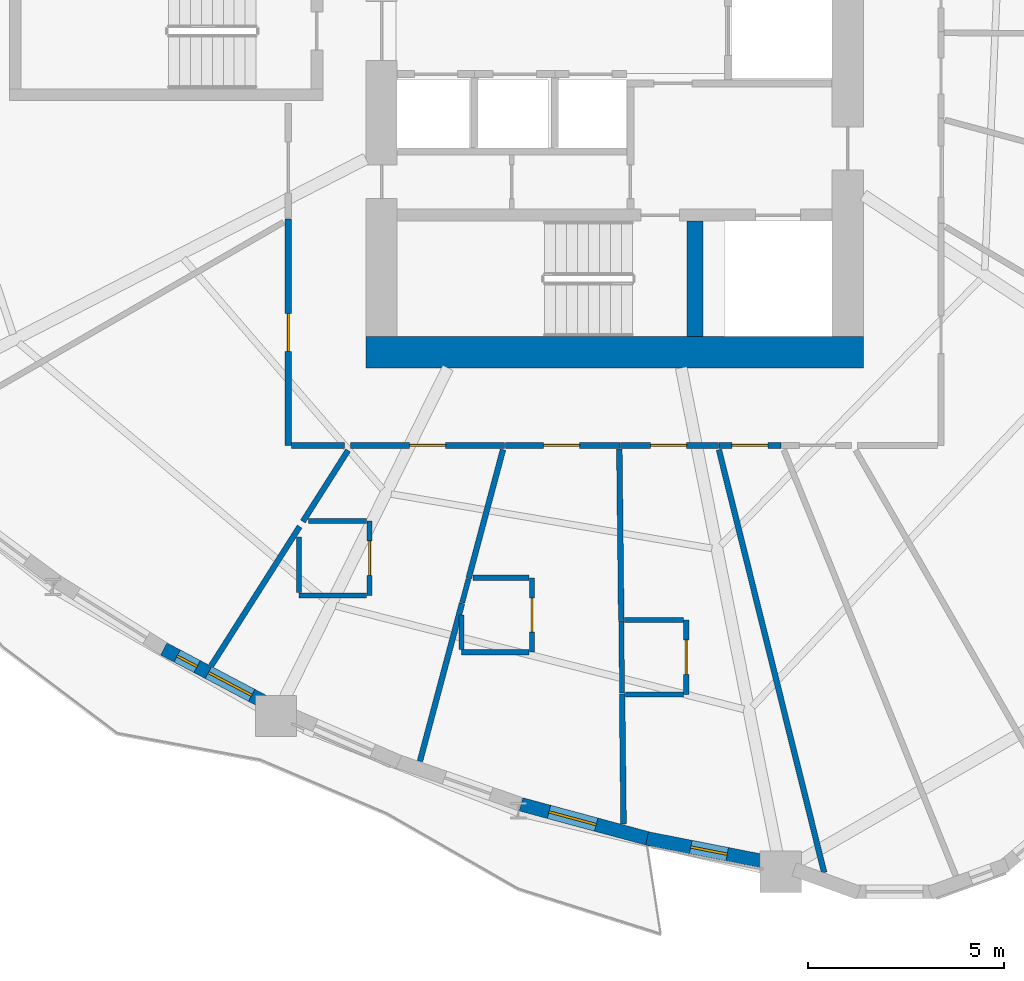
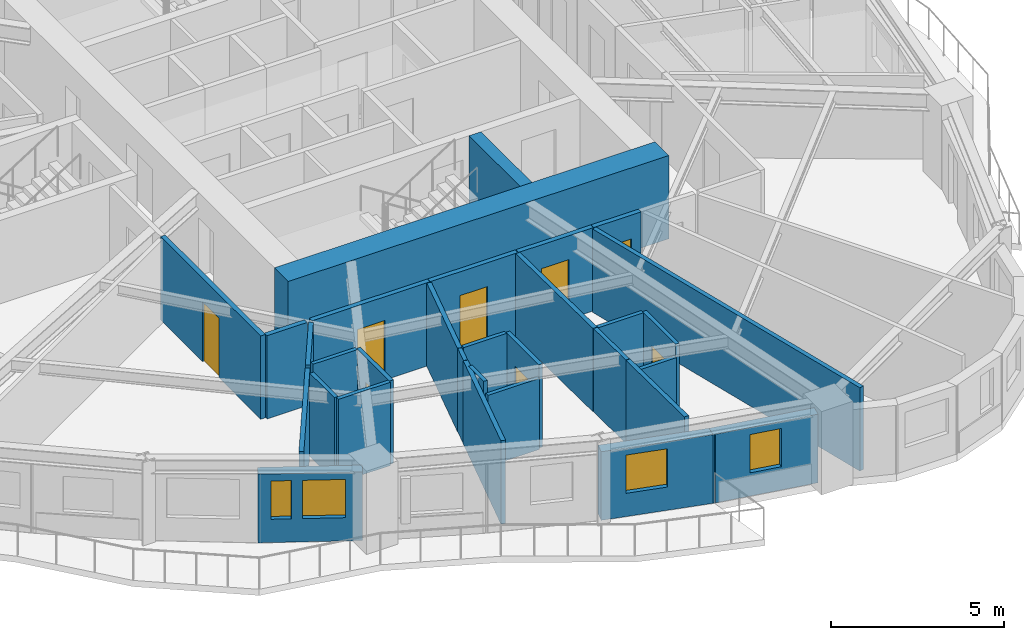
# One storey, part 3 of 13: 31 walls, 8 doors, 4 windows, 12 openings.
"""IFC4 building model written with IfcOpenShell, lengths in metres."""

from ifc_helpers import new_model, si_unit, direction, frame, frame_2d, origin, place, context, subcontext, project, spatial, rectangle, extrude, source, transform, mapped, material, layer, layer_set, type_object, element, fill, save


model = new_model("IFC4")

# Units and contexts
model_context = context("Model", 3, precision=1e-05, world=origin(), true_north=direction((0.0, 1.0)))
body_context = subcontext(model_context, "Body", "Model", "MODEL_VIEW")
ifc_project = project(units=[si_unit("LENGTHUNIT", "METRE"), si_unit("AREAUNIT", "SQUARE_METRE"), si_unit("VOLUMEUNIT", "CUBIC_METRE"), si_unit("PLANEANGLEUNIT", "RADIAN"), si_unit("MASSUNIT", "GRAM", prefix="KILO")], contexts=[model_context])

# Site, building, storey
site_placement = place(None, origin())
site = spatial("IfcSite", under=ifc_project, at=site_placement, CompositionType="ELEMENT")
building_placement = place(site_placement, origin())
building = spatial("IfcBuilding", under=site, at=building_placement, Name="Qafzar Sky-Pleat Residences", CompositionType="ELEMENT")
storey_placement = place(building_placement, frame((0.0, 0.0, 52.60009765625)))
storey = spatial("IfcBuildingStorey", under=building, at=storey_placement, Name="L15", CompositionType="ELEMENT", Elevation=52.60009765625)

# Wall, opening, door
ifc_material_1 = material(Name="Acoustic gypsum plasterboard partition", Category="gypsum")
ifc_layer_1 = layer(ifc_material_1, 0.159912109375)
ifc_layer_set_1 = layer_set([ifc_layer_1], Name="Acoustic gypsum plasterboard partition")
wall_type_1 = type_object("IfcWallType", Name="PART-COR-160", PredefinedType="PARTITIONING", material=ifc_layer_set_1)
wall_1_placement = place(storey_placement, frame((22.02001953125, 15.419921875, 0.0), z_axis=(0.0, 0.0, 1.0), x_axis=(0.0, 1.0, 0.0)))
wall_1 = element("IfcWall", 1, at=wall_1_placement, inside=storey, type_object=wall_type_1, Name="L15 Partition Wall PART-L15-PW-002", PredefinedType="PARTITIONING", context=body_context, shape_type="SweptSolid", body=[
    extrude(rectangle(XDim=5.7861328125, YDim=0.159912109375, at=frame_2d((2.89306640625, 0.0))), origin(), (0.0, 0.0, 1.0), 2.93994140625),
])
opening_1_placement = place(wall_1_placement, frame((2.404541015625, 0.0, 0.0)))
opening_1 = element("IfcOpeningElement", 2, at=opening_1_placement, cuts=wall_1, Name="Opening ID-06", PredefinedType="OPENING", context=body_context, shape_type="SweptSolid", body=[
    extrude(rectangle(XDim=0.9599609375, YDim=2.10009765625, at=frame_2d((0.47998046875, 1.050048828125))), frame((0.0, 0.08984375, 0.0), z_axis=(0.0, -1.0, 0.0), x_axis=(1.0, 0.0, 0.0)), (0.0, 0.0, 1.0), 0.179931640625),
])
ifc_material_2 = material(Name="Timber-faced fire door", Category="wood")
door_type_1 = type_object("IfcDoorType", Name="DR-STD-960", OperationType="NOTDEFINED", PredefinedType="DOOR", material=ifc_material_2)
shared_shape_1 = source(origin(), body_context, "Body", "SweptSolid", [
    extrude(rectangle(XDim=0.9599609375, YDim=2.10009765625, at=frame_2d((0.47998046875, 1.050048828125))), frame((0.0, 0.02490234375, 0.0), z_axis=(0.0, -1.0, 0.0), x_axis=(1.0, 0.0, 0.0)), (0.0, 0.0, 1.0), 0.050048828125),
])
door_1_placement = place(opening_1_placement, origin())
door_1 = element("IfcDoor", 3, at=door_1_placement, inside=storey, type_object=door_type_1, Name="L15 Scholar Co-Working Workspace Door", OperationType="SINGLE_SWING_LEFT", OverallHeight=2.10009765625, OverallWidth=0.9599609375, PredefinedType="DOOR", context=body_context, shape_type="MappedRepresentation", body=[
    mapped(shared_shape_1, transform((0.0, 0.0, 0.0), x_axis=(1.0, 0.0, 0.0), y_axis=(0.0, 1.0, 0.0), z_axis=(0.0, 0.0, 1.0), scale=1.0)),
])
fill(opening_1, door_1)

wall_2_placement = place(storey_placement, frame((27.5439453125, 15.419921875, 0.0), z_axis=(0.0, 0.0, 1.0), x_axis=(-1.0, 0.0, 0.0)))
wall_2 = element("IfcWall", 4, at=wall_2_placement, inside=storey, type_object=wall_type_1, Name="L15 Partition Wall PART-L15-PW-006", PredefinedType="PARTITIONING", context=body_context, shape_type="SweptSolid", body=[
    extrude(rectangle(XDim=3.93603515625, YDim=0.159912109375, at=frame_2d((1.968017578125, 0.0))), origin(), (0.0, 0.0, 1.0), 2.93994140625),
])
opening_2_placement = place(wall_2_placement, frame((1.507080078125, 0.0, 0.0)))
opening_2 = element("IfcOpeningElement", 5, at=opening_2_placement, cuts=wall_2, Name="Opening ID-04", PredefinedType="OPENING", context=body_context, shape_type="SweptSolid", body=[
    extrude(rectangle(XDim=0.919921875, YDim=2.10009765625, at=frame_2d((0.4599609375, 1.050048828125))), frame((0.0, 0.08984375, 0.0), z_axis=(0.0, -1.0, 0.0), x_axis=(1.0, 0.0, 0.0)), (0.0, 0.0, 1.0), 0.179931640625),
])
door_type_2 = type_object("IfcDoorType", Name="DR-BED-920", OperationType="NOTDEFINED", PredefinedType="DOOR", material=ifc_material_2)
shared_shape_2 = source(origin(), body_context, "Body", "SweptSolid", [
    extrude(rectangle(XDim=0.919921875, YDim=2.10009765625, at=frame_2d((0.4599609375, 1.050048828125))), frame((0.0, 0.02490234375, 0.0), z_axis=(0.0, -1.0, 0.0), x_axis=(1.0, 0.0, 0.0)), (0.0, 0.0, 1.0), 0.050048828125),
])
door_2_placement = place(opening_2_placement, origin())
door_2 = element("IfcDoor", 6, at=door_2_placement, inside=storey, type_object=door_type_2, Name="L15 Co-Living Bedroom 10 Door", OperationType="SINGLE_SWING_RIGHT", OverallHeight=2.10009765625, OverallWidth=0.919921875, PredefinedType="DOOR", context=body_context, shape_type="MappedRepresentation", body=[
    mapped(shared_shape_2, transform((0.0, 0.0, 0.0), x_axis=(1.0, 0.0, 0.0), y_axis=(0.0, 1.0, 0.0), z_axis=(0.0, 0.0, 1.0), scale=1.0)),
])
fill(opening_2, door_2)

wall_3_placement = place(storey_placement, frame((30.48388671875, 15.419921875, 0.0), z_axis=(0.0, 0.0, 1.0), x_axis=(-1.0, 0.0, 0.0)))
wall_3 = element("IfcWall", 7, at=wall_3_placement, inside=storey, type_object=wall_type_1, Name="L15 Partition Wall PART-L15-PW-010", PredefinedType="PARTITIONING", context=body_context, shape_type="SweptSolid", body=[
    extrude(rectangle(XDim=2.9248046875, YDim=0.159912109375, at=frame_2d((1.46240234375, 0.0))), origin(), (0.0, 0.0, 1.0), 2.93994140625),
])
opening_3_placement = place(wall_3_placement, frame((1.02490234375, 0.0, 0.0)))
opening_3 = element("IfcOpeningElement", 8, at=opening_3_placement, cuts=wall_3, Name="Opening ID-04", PredefinedType="OPENING", context=body_context, shape_type="SweptSolid", body=[
    extrude(rectangle(XDim=0.919921875, YDim=2.10009765625, at=frame_2d((0.4599609375, 1.050048828125))), frame((0.0, 0.08984375, 0.0), z_axis=(0.0, -1.0, 0.0), x_axis=(1.0, 0.0, 0.0)), (0.0, 0.0, 1.0), 0.179931640625),
])
door_3_placement = place(opening_3_placement, origin())
door_3 = element("IfcDoor", 9, at=door_3_placement, inside=storey, type_object=door_type_2, Name="L15 Co-Living Bedroom 11 Door", OperationType="SINGLE_SWING_LEFT", OverallHeight=2.10009765625, OverallWidth=0.919921875, PredefinedType="DOOR", context=body_context, shape_type="MappedRepresentation", body=[
    mapped(shared_shape_2, transform((0.0, 0.0, 0.0), x_axis=(1.0, 0.0, 0.0), y_axis=(0.0, 1.0, 0.0), z_axis=(0.0, 0.0, 1.0), scale=1.0)),
])
fill(opening_3, door_3)

wall_4_placement = place(storey_placement, frame((33.0, 15.419921875, 0.0), z_axis=(0.0, 0.0, 1.0), x_axis=(-1.0, 0.0, 0.0)))
wall_4 = element("IfcWall", 10, at=wall_4_placement, inside=storey, type_object=wall_type_1, Name="L15 Partition Wall PART-L15-PW-012", PredefinedType="PARTITIONING", context=body_context, shape_type="SweptSolid", body=[
    extrude(rectangle(XDim=2.5009765625, YDim=0.159912109375, at=frame_2d((1.25048828125, 0.0))), origin(), (0.0, 0.0, 1.0), 2.93994140625),
])
opening_4_placement = place(wall_4_placement, frame((0.81298828125, 0.0, 0.0)))
opening_4 = element("IfcOpeningElement", 11, at=opening_4_placement, cuts=wall_4, Name="Opening ID-04", PredefinedType="OPENING", context=body_context, shape_type="SweptSolid", body=[
    extrude(rectangle(XDim=0.919921875, YDim=2.10009765625, at=frame_2d((0.4599609375, 1.050048828125))), frame((0.0, 0.08984375, 0.0), z_axis=(0.0, -1.0, 0.0), x_axis=(1.0, 0.0, 0.0)), (0.0, 0.0, 1.0), 0.179931640625),
])
door_4_placement = place(opening_4_placement, origin())
door_4 = element("IfcDoor", 12, at=door_4_placement, inside=storey, type_object=door_type_2, Name="L15 Co-Living Bedroom 12 Door", OperationType="SINGLE_SWING_RIGHT", OverallHeight=2.10009765625, OverallWidth=0.919921875, PredefinedType="DOOR", context=body_context, shape_type="MappedRepresentation", body=[
    mapped(shared_shape_2, transform((0.0, 0.0, 0.0), x_axis=(1.0, 0.0, 0.0), y_axis=(0.0, 1.0, 0.0), z_axis=(0.0, 0.0, 1.0), scale=1.0)),
])
fill(opening_4, door_4)

wall_5_placement = place(storey_placement, frame((34.591064453125, 15.419921875, 0.0), z_axis=(0.0, 0.0, 1.0), x_axis=(-1.0, 0.0, 0.0)))
wall_5 = element("IfcWall", 13, at=wall_5_placement, inside=storey, type_object=wall_type_1, Name="L15 Partition Wall PART-L15-PW-027", PredefinedType="PARTITIONING", context=body_context, shape_type="SweptSolid", body=[
    extrude(rectangle(XDim=1.576171875, YDim=0.159912109375, at=frame_2d((0.7880859375, 0.0))), origin(), (0.0, 0.0, 1.0), 2.93994140625),
])
opening_5_placement = place(wall_5_placement, frame((0.326904296875, 0.0, 0.0)))
opening_5 = element("IfcOpeningElement", 14, at=opening_5_placement, cuts=wall_5, Name="Opening ID-04", PredefinedType="OPENING", context=body_context, shape_type="SweptSolid", body=[
    extrude(rectangle(XDim=0.919921875, YDim=2.10009765625, at=frame_2d((0.4599609375, 1.050048828125))), frame((0.0, 0.08984375, 0.0), z_axis=(0.0, -1.0, 0.0), x_axis=(1.0, 0.0, 0.0)), (0.0, 0.0, 1.0), 0.179931640625),
])
door_5_placement = place(opening_5_placement, origin())
door_5 = element("IfcDoor", 15, at=door_5_placement, inside=storey, type_object=door_type_2, Name="L15 Co-Living Bedroom 1 Door", OperationType="SINGLE_SWING_LEFT", OverallHeight=2.10009765625, OverallWidth=0.919921875, PredefinedType="DOOR", context=body_context, shape_type="MappedRepresentation", body=[
    mapped(shared_shape_2, transform((0.0, 0.0, 0.0), x_axis=(1.0, 0.0, 0.0), y_axis=(0.0, 1.0, 0.0), z_axis=(0.0, 0.0, 1.0), scale=1.0)),
])
fill(opening_5, door_5)

# Walls
wall_6_placement = place(storey_placement, frame((22.10791015625, 15.419921875, 0.0), z_axis=(0.0, 0.0, 1.0), x_axis=(1.0, 0.0, 0.0)))
element("IfcWall", 16, at=wall_6_placement, inside=storey, type_object=wall_type_1, Name="L15 Partition Wall PART-L15-PW-076", PredefinedType="PARTITIONING", context=body_context, shape_type="SweptSolid", body=[
    extrude(rectangle(XDim=1.34033203125, YDim=0.159912109375, at=frame_2d((0.670166015625, 0.0))), origin(), (0.0, 0.0, 1.0), 2.93994140625),
])
ifc_layer_2 = layer(ifc_material_1, 0.14501953125)
ifc_layer_set_2 = layer_set([ifc_layer_2], Name="Acoustic gypsum plasterboard partition")
wall_type_2 = type_object("IfcWallType", Name="PART-UNIT-145", PredefinedType="PARTITIONING", material=ifc_layer_set_2)
wall_7_placement = place(storey_placement, frame((33.01123046875, 15.314697265625, 0.0), z_axis=(0.0, 0.0, 1.0), x_axis=(0.241616400535, -0.970371843673, 0.0)))
element("IfcWall", 17, at=wall_7_placement, inside=storey, type_object=wall_type_2, Name="L15 Partition Wall PART-L15-PW-035", PredefinedType="PARTITIONING", context=body_context, shape_type="SweptSolid", body=[
    extrude(rectangle(XDim=11.125, YDim=0.14501953125, at=frame_2d((5.5625, 0.0))), origin(), (0.0, 0.0, 1.0), 2.93994140625),
])
wall_8_placement = place(storey_placement, frame((30.469970703125, 15.331298828125, 0.0), z_axis=(0.0, 0.0, 1.0), x_axis=(0.011204559183, -0.999937226957, 0.0)))
element("IfcWall", 18, at=wall_8_placement, inside=storey, type_object=wall_type_2, Name="L15 Partition Wall PART-L15-PW-044", PredefinedType="PARTITIONING", context=body_context, shape_type="SweptSolid", body=[
    extrude(rectangle(XDim=4.379638671875, YDim=0.14501953125, at=frame_2d((2.18994140625, 0.0))), origin(), (0.0, 0.0, 1.0), 2.93994140625),
])
wall_9_placement = place(storey_placement, frame((20.0537109375, 9.800048828125, 0.0), z_axis=(0.0, 0.0, 1.0), x_axis=(0.536345686693, 0.843998403059, 0.0)))
element("IfcWall", 19, at=wall_9_placement, inside=storey, type_object=wall_type_2, Name="L15 Partition Wall PART-L15-PW-045", PredefinedType="PARTITIONING", context=body_context, shape_type="SweptSolid", body=[
    extrude(rectangle(XDim=4.205078125, YDim=0.14501953125, at=frame_2d((2.1025390625, 0.0))), origin(), (0.0, 0.0, 1.0), 2.93994140625),
])
wall_10_placement = place(storey_placement, frame((25.3798828125, 7.359619140625, 0.0), z_axis=(0.0, 0.0, 1.0), x_axis=(0.257575283531, 0.966258233245, 0.0)))
element("IfcWall", 20, at=wall_10_placement, inside=storey, type_object=wall_type_2, Name="L15 Partition Wall PART-L15-PW-046", PredefinedType="PARTITIONING", context=body_context, shape_type="SweptSolid", body=[
    extrude(rectangle(XDim=4.17431640625, YDim=0.14501953125, at=frame_2d((2.087158203125, 0.0))), origin(), (0.0, 0.0, 1.0), 2.93994140625),
])
wall_11_placement = place(storey_placement, frame((26.6240234375, 12.028076171875, 0.0), z_axis=(0.0, 0.0, 1.0), x_axis=(0.257743083598, 0.966213487205, 0.0)))
element("IfcWall", 21, at=wall_11_placement, inside=storey, type_object=wall_type_2, Name="L15 Partition Wall PART-L15-PW-049", PredefinedType="PARTITIONING", context=body_context, shape_type="SweptSolid", body=[
    extrude(rectangle(XDim=3.400634765625, YDim=0.14501953125, at=frame_2d((1.7001953125, 0.0))), origin(), (0.0, 0.0, 1.0), 2.93994140625),
])
wall_12_placement = place(storey_placement, frame((30.5400390625, 9.08203125, 0.0), z_axis=(0.0, 0.0, 1.0), x_axis=(0.011329467055, -0.999935819529, 0.0)))
element("IfcWall", 22, at=wall_12_placement, inside=storey, type_object=wall_type_2, Name="L15 Partition Wall PART-L15-PW-052", PredefinedType="PARTITIONING", context=body_context, shape_type="SweptSolid", body=[
    extrude(rectangle(XDim=3.318603515625, YDim=0.14501953125, at=frame_2d((1.6591796875, 0.0))), origin(), (0.0, 0.0, 1.0), 2.93994140625),
])
wall_13_placement = place(storey_placement, frame((22.39208984375, 13.47900390625, 0.0), z_axis=(0.0, 0.0, 1.0), x_axis=(0.53614810629, 0.844123929362, 0.0)))
element("IfcWall", 23, at=wall_13_placement, inside=storey, type_object=wall_type_2, Name="L15 Partition Wall PART-L15-PW-055", PredefinedType="PARTITIONING", context=body_context, shape_type="SweptSolid", body=[
    extrude(rectangle(XDim=2.150634765625, YDim=0.14501953125, at=frame_2d((1.0751953125, 0.0))), origin(), (0.0, 0.0, 1.0), 2.93994140625),
])

# Wall, opening, door
ifc_material_3 = material(Name="Moisture-resistant gypsum partition", Category="gypsum")
ifc_layer_3 = layer(ifc_material_3, 0.1298828125)
ifc_layer_set_3 = layer_set([ifc_layer_3], Name="Moisture-resistant gypsum partition")
wall_type_3 = type_object("IfcWallType", Name="PART-WET-130", PredefinedType="PARTITIONING", material=ifc_layer_set_3)
wall_14_placement = place(storey_placement, frame((24.093994140625, 11.593994140625, 0.0), z_axis=(0.0, 0.0, 1.0), x_axis=(0.0, 1.0, 0.0)))
wall_14 = element("IfcWall", 24, at=wall_14_placement, inside=storey, type_object=wall_type_3, Name="L15 Partition Wall PART-L15-PW-016", PredefinedType="PARTITIONING", context=body_context, shape_type="SweptSolid", body=[
    extrude(rectangle(XDim=1.89990234375, YDim=0.1298828125, at=frame_2d((0.949951171875, 0.0))), origin(), (0.0, 0.0, 1.0), 2.93994140625),
])
opening_6_placement = place(wall_14_placement, frame((0.510009765625, 0.0, 0.0)))
opening_6 = element("IfcOpeningElement", 25, at=opening_6_placement, cuts=wall_14, Name="Opening ID-07", PredefinedType="OPENING", context=body_context, shape_type="SweptSolid", body=[
    extrude(rectangle(XDim=0.8798828125, YDim=2.050048828125, at=frame_2d((0.43994140625, 1.02490234375))), frame((0.0, 0.074951171875, 0.0), z_axis=(0.0, -1.0, 0.0), x_axis=(1.0, 0.0, 0.0)), (0.0, 0.0, 1.0), 0.14990234375),
])
door_type_3 = type_object("IfcDoorType", Name="DR-WET-880", OperationType="NOTDEFINED", PredefinedType="DOOR", material=ifc_material_2)
shared_shape_3 = source(origin(), body_context, "Body", "SweptSolid", [
    extrude(rectangle(XDim=0.8798828125, YDim=2.050048828125, at=frame_2d((0.43994140625, 1.02490234375))), frame((0.0, 0.02490234375, 0.0), z_axis=(0.0, -1.0, 0.0), x_axis=(1.0, 0.0, 0.0)), (0.0, 0.0, 1.0), 0.050048828125),
])
door_6_placement = place(opening_6_placement, origin())
door_6 = element("IfcDoor", 26, at=door_6_placement, inside=storey, type_object=door_type_3, Name="L15 En-suite Bathroom 10 Door", OperationType="SINGLE_SWING_RIGHT", OverallHeight=2.050048828125, OverallWidth=0.8798828125, PredefinedType="DOOR", context=body_context, shape_type="MappedRepresentation", body=[
    mapped(shared_shape_3, transform((0.0, 0.0, 0.0), x_axis=(1.0, 0.0, 0.0), y_axis=(0.0, 1.0, 0.0), z_axis=(0.0, 0.0, 1.0), scale=1.0)),
])
fill(opening_6, door_6)

wall_15_placement = place(storey_placement, frame((32.177001953125, 9.06689453125, 0.0), z_axis=(0.0, 0.0, 1.0), x_axis=(0.0, 1.0, 0.0)))
wall_15 = element("IfcWall", 27, at=wall_15_placement, inside=storey, type_object=wall_type_3, Name="L15 Partition Wall PART-L15-PW-017", PredefinedType="PARTITIONING", context=body_context, shape_type="SweptSolid", body=[
    extrude(rectangle(XDim=1.900146484375, YDim=0.1298828125, at=frame_2d((0.9501953125, 0.0))), origin(), (0.0, 0.0, 1.0), 2.93994140625),
])
opening_7_placement = place(wall_15_placement, frame((0.510009765625, 0.0, 0.0)))
opening_7 = element("IfcOpeningElement", 28, at=opening_7_placement, cuts=wall_15, Name="Opening ID-07", PredefinedType="OPENING", context=body_context, shape_type="SweptSolid", body=[
    extrude(rectangle(XDim=0.8798828125, YDim=2.050048828125, at=frame_2d((0.43994140625, 1.02490234375))), frame((0.0, 0.074951171875, 0.0), z_axis=(0.0, -1.0, 0.0), x_axis=(1.0, 0.0, 0.0)), (0.0, 0.0, 1.0), 0.14990234375),
])
door_7_placement = place(opening_7_placement, origin())
door_7 = element("IfcDoor", 29, at=door_7_placement, inside=storey, type_object=door_type_3, Name="L15 En-suite Bathroom 12 Door", OperationType="SINGLE_SWING_LEFT", OverallHeight=2.050048828125, OverallWidth=0.8798828125, PredefinedType="DOOR", context=body_context, shape_type="MappedRepresentation", body=[
    mapped(shared_shape_3, transform((0.0, 0.0, 0.0), x_axis=(1.0, 0.0, 0.0), y_axis=(0.0, 1.0, 0.0), z_axis=(0.0, 0.0, 1.0), scale=1.0)),
])
fill(opening_7, door_7)

wall_16_placement = place(storey_placement, frame((28.239990234375, 10.14306640625, 0.0), z_axis=(0.0, 0.0, 1.0), x_axis=(0.0, 1.0, 0.0)))
wall_16 = element("IfcWall", 30, at=wall_16_placement, inside=storey, type_object=wall_type_3, Name="L15 Partition Wall PART-L15-PW-021", PredefinedType="PARTITIONING", context=body_context, shape_type="SweptSolid", body=[
    extrude(rectangle(XDim=1.89990234375, YDim=0.1298828125, at=frame_2d((0.949951171875, 0.0))), origin(), (0.0, 0.0, 1.0), 2.93994140625),
])
opening_8_placement = place(wall_16_placement, frame((0.510009765625, 0.0, 0.0)))
opening_8 = element("IfcOpeningElement", 31, at=opening_8_placement, cuts=wall_16, Name="Opening ID-07", PredefinedType="OPENING", context=body_context, shape_type="SweptSolid", body=[
    extrude(rectangle(XDim=0.8798828125, YDim=2.050048828125, at=frame_2d((0.43994140625, 1.02490234375))), frame((0.0, 0.074951171875, 0.0), z_axis=(0.0, -1.0, 0.0), x_axis=(1.0, 0.0, 0.0)), (0.0, 0.0, 1.0), 0.14990234375),
])
door_8_placement = place(opening_8_placement, origin())
door_8 = element("IfcDoor", 32, at=door_8_placement, inside=storey, type_object=door_type_3, Name="L15 En-suite Bathroom 11 Door", OperationType="SINGLE_SWING_LEFT", OverallHeight=2.050048828125, OverallWidth=0.8798828125, PredefinedType="DOOR", context=body_context, shape_type="MappedRepresentation", body=[
    mapped(shared_shape_3, transform((0.0, 0.0, 0.0), x_axis=(1.0, 0.0, 0.0), y_axis=(0.0, 1.0, 0.0), z_axis=(0.0, 0.0, 1.0), scale=1.0)),
])
fill(opening_8, door_8)

# Walls
wall_17_placement = place(storey_placement, frame((30.51953125, 10.93701171875, 0.0), z_axis=(0.0, 0.0, 1.0), x_axis=(0.010879016503, -0.999940821749, 0.0)))
element("IfcWall", 33, at=wall_17_placement, inside=storey, type_object=wall_type_3, Name="L15 Partition Wall PART-L15-PW-061", PredefinedType="PARTITIONING", context=body_context, shape_type="SweptSolid", body=[
    extrude(rectangle(XDim=1.840087890625, YDim=0.1298828125, at=frame_2d((0.919921875, 0.0))), origin(), (0.0, 0.0, 1.0), 2.93994140625),
])
wall_18_placement = place(storey_placement, frame((22.2939453125, 11.593994140625, 0.0), z_axis=(0.0, 0.0, 1.0), x_axis=(1.0, 0.0, 0.0)))
element("IfcWall", 34, at=wall_18_placement, inside=storey, type_object=wall_type_3, Name="L15 Partition Wall PART-L15-PW-065", PredefinedType="PARTITIONING", context=body_context, shape_type="SweptSolid", body=[
    extrude(rectangle(XDim=1.72705078125, YDim=0.1298828125, at=frame_2d((0.863525390625, 0.0))), origin(), (0.0, 0.0, 1.0), 2.93994140625),
])
wall_19_placement = place(storey_placement, frame((26.43994140625, 10.14306640625, 0.0), z_axis=(0.0, 0.0, 1.0), x_axis=(1.0, 0.0, 0.0)))
element("IfcWall", 35, at=wall_19_placement, inside=storey, type_object=wall_type_3, Name="L15 Partition Wall PART-L15-PW-067", PredefinedType="PARTITIONING", context=body_context, shape_type="SweptSolid", body=[
    extrude(rectangle(XDim=1.72705078125, YDim=0.1298828125, at=frame_2d((0.863525390625, 0.0))), origin(), (0.0, 0.0, 1.0), 2.5078125),
])
wall_20_placement = place(storey_placement, frame((22.2939453125, 11.6669921875, 0.0), z_axis=(0.0, 0.0, 1.0), x_axis=(0.0, 1.0, 0.0)))
element("IfcWall", 36, at=wall_20_placement, inside=storey, type_object=wall_type_3, Name="L15 Partition Wall PART-L15-PW-069", PredefinedType="PARTITIONING", context=body_context, shape_type="SweptSolid", body=[
    extrude(rectangle(XDim=1.4189453125, YDim=0.1298828125, at=frame_2d((0.70947265625, 0.0))), origin(), (0.0, 0.0, 1.0), 2.93994140625),
])
wall_21_placement = place(storey_placement, frame((22.5361328125, 13.493896484375, 0.0), z_axis=(0.0, 0.0, 1.0), x_axis=(1.0, 0.0, 0.0)))
element("IfcWall", 37, at=wall_21_placement, inside=storey, type_object=wall_type_3, Name="L15 Partition Wall PART-L15-PW-071", PredefinedType="PARTITIONING", context=body_context, shape_type="SweptSolid", body=[
    extrude(rectangle(XDim=1.48486328125, YDim=0.1298828125, at=frame_2d((0.742431640625, 0.0))), origin(), (0.0, 0.0, 1.0), 2.93994140625),
])
wall_22_placement = place(storey_placement, frame((30.60009765625, 10.967041015625, 0.0), z_axis=(0.0, 0.0, 1.0), x_axis=(1.0, 0.0, 0.0)))
element("IfcWall", 38, at=wall_22_placement, inside=storey, type_object=wall_type_3, Name="L15 Partition Wall PART-L15-PW-073", PredefinedType="PARTITIONING", context=body_context, shape_type="SweptSolid", body=[
    extrude(rectangle(XDim=1.50390625, YDim=0.1298828125, at=frame_2d((0.751953125, 0.0))), origin(), (0.0, 0.0, 1.0), 2.93994140625),
])
wall_23_placement = place(storey_placement, frame((30.62109375, 9.06689453125, 0.0), z_axis=(0.0, 0.0, 1.0), x_axis=(1.0, 0.0, 0.0)))
element("IfcWall", 39, at=wall_23_placement, inside=storey, type_object=wall_type_3, Name="L15 Partition Wall PART-L15-PW-074", PredefinedType="PARTITIONING", context=body_context, shape_type="SweptSolid", body=[
    extrude(rectangle(XDim=1.48291015625, YDim=0.1298828125, at=frame_2d((0.741455078125, 0.0))), origin(), (0.0, 0.0, 1.0), 2.5078125),
])
wall_24_placement = place(storey_placement, frame((26.728515625, 12.04296875, 0.0), z_axis=(0.0, 0.0, 1.0), x_axis=(1.0, 0.0, 0.0)))
element("IfcWall", 40, at=wall_24_placement, inside=storey, type_object=wall_type_3, Name="L15 Partition Wall PART-L15-PW-075", PredefinedType="PARTITIONING", context=body_context, shape_type="SweptSolid", body=[
    extrude(rectangle(XDim=1.4384765625, YDim=0.1298828125, at=frame_2d((0.71923828125, 0.0))), origin(), (0.0, 0.0, 1.0), 2.93994140625),
])
wall_25_placement = place(storey_placement, frame((26.43994140625, 10.216064453125, 0.0), z_axis=(0.0, 0.0, 1.0), x_axis=(0.0, 1.0, 0.0)))
element("IfcWall", 41, at=wall_25_placement, inside=storey, type_object=wall_type_3, Name="L15 Partition Wall PART-L15-PW-083", PredefinedType="PARTITIONING", context=body_context, shape_type="SweptSolid", body=[
    extrude(rectangle(XDim=0.8798828125, YDim=0.1298828125, at=frame_2d((0.43994140625, 0.0))), origin(), (0.0, 0.0, 1.0), 2.93994140625),
])
wall_26_placement = place(storey_placement, frame((26.458984375, 11.407470703125, 0.0), z_axis=(0.0, 0.0, 1.0), x_axis=(0.256984017378, 0.966415653232, 0.0)))
element("IfcWall", 42, at=wall_26_placement, inside=storey, type_object=wall_type_3, Name="L15 Partition Wall PART-L15-PW-088", PredefinedType="PARTITIONING", context=body_context, shape_type="SweptSolid", body=[
    extrude(rectangle(XDim=0.626953125, YDim=0.1298828125, at=frame_2d((0.3134765625, 0.0))), origin(), (0.0, 0.0, 1.0), 2.93994140625),
])

# Wall, openings, windows
ifc_material_4 = material(Name="Precast concrete C40/50 with honed Riyadh limestone", Category="concrete")
ifc_layer_4 = layer(ifc_material_4, 0.35009765625)
ifc_layer_set_4 = layer_set([ifc_layer_4], Name="Precast concrete C40/50 with honed Riyadh limestone")
wall_type_4 = type_object("IfcWallType", Name="WALL-EXT-350", PredefinedType="SOLIDWALL", material=ifc_layer_set_4)
wall_27_placement = place(storey_placement, frame((18.841552734375, 10.226318359375, 0.0), z_axis=(0.0, 0.0, 1.0), x_axis=(0.884373657766, -0.466779641211, 0.0)))
wall_27 = element("IfcWall", 43, at=wall_27_placement, inside=storey, type_object=wall_type_4, Name="L15 Limestone Facade Wall 12", PredefinedType="SOLIDWALL", context=body_context, shape_type="SweptSolid", body=[
    extrude(rectangle(XDim=3.02783203125, YDim=0.35009765625, at=frame_2d((1.513916015625, 0.0))), origin(), (0.0, 0.0, 1.0), 2.419921875),
])
opening_9_placement = place(wall_27_placement, frame((0.38427734375, 0.0, 0.820068359375)))
opening_9 = element("IfcOpeningElement", 44, at=opening_9_placement, cuts=wall_27, Name="Opening WN-17", PredefinedType="OPENING", context=body_context, shape_type="SweptSolid", body=[
    extrude(rectangle(XDim=0.580078125, YDim=1.35009765625, at=frame_2d((0.2900390625, 0.675048828125))), frame((0.0, 0.18505859375, 0.0), z_axis=(0.0, -1.0, 0.0), x_axis=(1.0, 0.0, 0.0)), (0.0, 0.0, 1.0), 0.3701171875),
])
opening_10_placement = place(wall_27_placement, frame((1.288330078125, 0.0, 0.820068359375)))
opening_10 = element("IfcOpeningElement", 45, at=opening_10_placement, cuts=wall_27, Name="Opening WN-11", PredefinedType="OPENING", context=body_context, shape_type="SweptSolid", body=[
    extrude(rectangle(XDim=1.25, YDim=1.35009765625, at=frame_2d((0.625, 0.675048828125))), frame((0.0, 0.18505859375, 0.0), z_axis=(0.0, -1.0, 0.0), x_axis=(1.0, 0.0, 0.0)), (0.0, 0.0, 1.0), 0.3701171875),
])
ifc_material_5 = material(Name="Solar-control low-E glass in bronze aluminium frame", Category="glass")
window_type_1 = type_object("IfcWindowType", Name="WIN-17", PartitioningType="SINGLE_PANEL", PredefinedType="WINDOW", material=ifc_material_5)
shared_shape_4 = source(origin(), body_context, "Body", "SweptSolid", [
    extrude(rectangle(XDim=0.580078125, YDim=1.35009765625, at=frame_2d((0.2900390625, 0.675048828125))), frame((0.0, 0.030029296875, 0.0), z_axis=(0.0, -1.0, 0.0), x_axis=(1.0, 0.0, 0.0)), (0.0, 0.0, 1.0), 0.06005859375),
])
window_1_placement = place(opening_9_placement, origin())
window_1 = element("IfcWindow", 46, at=window_1_placement, inside=storey, type_object=window_type_1, Name="L15 Punched Facade Window 12", OverallHeight=1.35009765625, OverallWidth=0.580078125, PartitioningType="SINGLE_PANEL", PredefinedType="WINDOW", context=body_context, shape_type="MappedRepresentation", body=[
    mapped(shared_shape_4, transform((0.0, 0.0, 0.0), x_axis=(1.0, 0.0, 0.0), y_axis=(0.0, 1.0, 0.0), z_axis=(0.0, 0.0, 1.0), scale=1.0)),
])
fill(opening_9, window_1)
window_type_2 = type_object("IfcWindowType", Name="WIN-11", PartitioningType="SINGLE_PANEL", PredefinedType="WINDOW", material=ifc_material_5)
shared_shape_5 = source(origin(), body_context, "Body", "SweptSolid", [
    extrude(rectangle(XDim=1.25, YDim=1.35009765625, at=frame_2d((0.625, 0.675048828125))), frame((0.0, 0.030029296875, 0.0), z_axis=(0.0, -1.0, 0.0), x_axis=(1.0, 0.0, 0.0)), (0.0, 0.0, 1.0), 0.06005859375),
])
window_2_placement = place(opening_10_placement, origin())
window_2 = element("IfcWindow", 47, at=window_2_placement, inside=storey, type_object=window_type_2, Name="L15 Punched Facade Window 12-2", OverallHeight=1.35009765625, OverallWidth=1.25, PartitioningType="SINGLE_PANEL", PredefinedType="WINDOW", context=body_context, shape_type="MappedRepresentation", body=[
    mapped(shared_shape_5, transform((0.0, 0.0, 0.0), x_axis=(1.0, 0.0, 0.0), y_axis=(0.0, 1.0, 0.0), z_axis=(0.0, 0.0, 1.0), scale=1.0)),
])
fill(opening_10, window_2)

# Wall, opening, window
wall_28_placement = place(storey_placement, frame((27.96142578125, 6.260009765625, 0.0), z_axis=(0.0, 0.0, 1.0), x_axis=(0.96545566601, -0.260567375106, 0.0)))
wall_28 = element("IfcWall", 48, at=wall_28_placement, inside=storey, type_object=wall_type_4, Name="L15 Limestone Facade Wall 15", PredefinedType="SOLIDWALL", context=body_context, shape_type="SweptSolid", body=[
    extrude(rectangle(XDim=3.419921875, YDim=0.35009765625, at=frame_2d((1.7099609375, 0.0))), origin(), (0.0, 0.0, 1.0), 2.419921875),
])
opening_11_placement = place(wall_28_placement, frame((0.737548828125, 0.0, 0.820068359375)))
opening_11 = element("IfcOpeningElement", 49, at=opening_11_placement, cuts=wall_28, Name="Opening WN-11", PredefinedType="OPENING", context=body_context, shape_type="SweptSolid", body=[
    extrude(rectangle(XDim=1.25, YDim=1.35009765625, at=frame_2d((0.625, 0.675048828125))), frame((0.0, 0.18505859375, 0.0), z_axis=(0.0, -1.0, 0.0), x_axis=(1.0, 0.0, 0.0)), (0.0, 0.0, 1.0), 0.3701171875),
])
window_3_placement = place(opening_11_placement, origin())
window_3 = element("IfcWindow", 50, at=window_3_placement, inside=storey, type_object=window_type_2, Name="L15 Punched Facade Window 15", OverallHeight=1.35009765625, OverallWidth=1.25, PartitioningType="SINGLE_PANEL", PredefinedType="WINDOW", context=body_context, shape_type="MappedRepresentation", body=[
    mapped(shared_shape_5, transform((0.0, 0.0, 0.0), x_axis=(1.0, 0.0, 0.0), y_axis=(0.0, 1.0, 0.0), z_axis=(0.0, 0.0, 1.0), scale=1.0)),
])
fill(opening_11, window_3)

wall_29_placement = place(storey_placement, frame((31.17724609375, 5.388916015625, 0.0), z_axis=(0.0, 0.0, 1.0), x_axis=(0.981235727687, -0.192811946491, 0.0)))
wall_29 = element("IfcWall", 51, at=wall_29_placement, inside=storey, type_object=wall_type_4, Name="L15 Limestone Facade Wall 16", PredefinedType="SOLIDWALL", context=body_context, shape_type="SweptSolid", body=[
    extrude(rectangle(XDim=3.21240234375, YDim=0.35009765625, at=frame_2d((1.606201171875, 0.0))), origin(), (0.0, 0.0, 1.0), 2.419921875),
])
opening_12_placement = place(wall_29_placement, frame((1.13623046875, 0.0, 0.820068359375)))
opening_12 = element("IfcOpeningElement", 52, at=opening_12_placement, cuts=wall_29, Name="Opening WN-12", PredefinedType="OPENING", context=body_context, shape_type="SweptSolid", body=[
    extrude(rectangle(XDim=0.949951171875, YDim=1.35009765625, at=frame_2d((0.47509765625, 0.675048828125))), frame((0.0, 0.18505859375, 0.0), z_axis=(0.0, -1.0, 0.0), x_axis=(1.0, 0.0, 0.0)), (0.0, 0.0, 1.0), 0.3701171875),
])
window_type_3 = type_object("IfcWindowType", Name="WIN-12", PartitioningType="SINGLE_PANEL", PredefinedType="WINDOW", material=ifc_material_5)
shared_shape_6 = source(origin(), body_context, "Body", "SweptSolid", [
    extrude(rectangle(XDim=0.949951171875, YDim=1.35009765625, at=frame_2d((0.47509765625, 0.675048828125))), frame((0.0, 0.030029296875, 0.0), z_axis=(0.0, -1.0, 0.0), x_axis=(1.0, 0.0, 0.0)), (0.0, 0.0, 1.0), 0.06005859375),
])
window_4_placement = place(opening_12_placement, origin())
window_4 = element("IfcWindow", 53, at=window_4_placement, inside=storey, type_object=window_type_3, Name="L15 Punched Facade Window 16", OverallHeight=1.35009765625, OverallWidth=0.949951171875, PartitioningType="SINGLE_PANEL", PredefinedType="WINDOW", context=body_context, shape_type="MappedRepresentation", body=[
    mapped(shared_shape_6, transform((0.0, 0.0, 0.0), x_axis=(1.0, 0.0, 0.0), y_axis=(0.0, 1.0, 0.0), z_axis=(0.0, 0.0, 1.0), scale=1.0)),
])
fill(opening_12, window_4)

# Walls
ifc_material_6 = material(Name="Concrete C60/75", Category="concrete")
ifc_layer_5 = layer(ifc_material_6, 0.39990234375)
ifc_layer_set_5 = layer_set([ifc_layer_5], Name="Concrete C60/75")
wall_type_5 = type_object("IfcWallType", Name="WALL-SHEAR-400", PredefinedType="SHEAR", material=ifc_layer_set_5)
wall_30_placement = place(storey_placement, frame((32.39990234375, 18.199951171875, 0.0), z_axis=(0.0, 0.0, 1.0), x_axis=(0.0, 1.0, 0.0)))
element("IfcWall", 54, at=wall_30_placement, inside=storey, type_object=wall_type_5, Name="L15 Stair ST1 East Dividing Wall", PredefinedType="SHEAR", context=body_context, shape_type="SweptSolid", body=[
    extrude(rectangle(XDim=2.949951171875, YDim=0.39990234375, at=frame_2d((1.47509765625, 0.0))), origin(), (0.0, 0.0, 1.0), 2.93994140625),
])
ifc_layer_6 = layer(ifc_material_6, 0.800048828125)
ifc_layer_set_6 = layer_set([ifc_layer_6], Name="Concrete C60/75")
wall_type_6 = type_object("IfcWallType", Name="WALL-SHEAR-800", PredefinedType="SHEAR", material=ifc_layer_set_6)
wall_31_placement = place(storey_placement, frame((24.0, 17.800048828125, 0.0), z_axis=(0.0, 0.0, 1.0), x_axis=(1.0, 0.0, 0.0)))
element("IfcWall", 55, at=wall_31_placement, inside=storey, type_object=wall_type_6, Name="L15 CORE wall S", PredefinedType="SHEAR", context=body_context, shape_type="SweptSolid", body=[
    extrude(rectangle(XDim=12.699951171875, YDim=0.800048828125, at=frame_2d((6.35009765625, 0.0))), origin(), (0.0, 0.0, 1.0), 2.93994140625),
])

save(model, "model.ifc")
